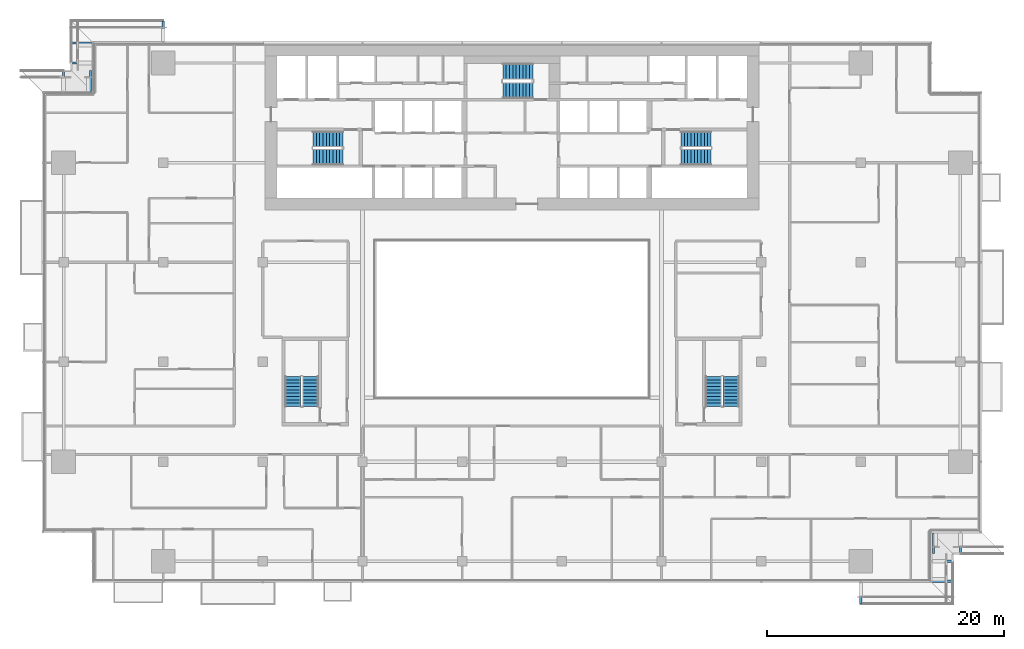
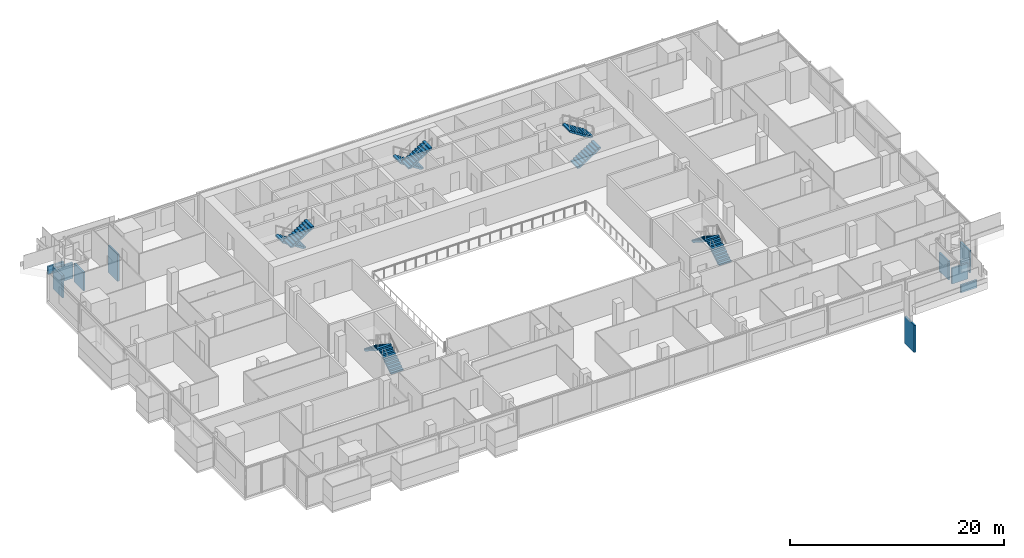
# One storey, part 24 of 29: 10 discrete accessories, 10 stair flights, 5 elements without a shape of their own.
"""IFC4 building model written with IfcOpenShell, lengths in metres."""

from ifc_helpers import new_model, si_unit, direction, frame, origin, origin_2d, place, context, subcontext, project, spatial, polyline, rectangle, outline, extrude, material, type_object, element, aggregate, save


model = new_model("IFC4")

# Units and contexts
model_context = context("Model", 3, precision=1e-05, world=origin(), true_north=direction((0.0, 1.0)))
body_context = subcontext(model_context, "Body", "Model", "MODEL_VIEW")
ifc_project = project(units=[si_unit("LENGTHUNIT", "METRE"), si_unit("AREAUNIT", "SQUARE_METRE"), si_unit("VOLUMEUNIT", "CUBIC_METRE"), si_unit("PLANEANGLEUNIT", "RADIAN"), si_unit("MASSUNIT", "GRAM", prefix="KILO")], contexts=[model_context])

# Site, building, storey
site_placement = place(None, origin())
site = spatial("IfcSite", under=ifc_project, at=site_placement, CompositionType="ELEMENT")
building_placement = place(site_placement, origin())
building = spatial("IfcBuilding", under=site, at=building_placement, Name="Saffron Gate Tower", CompositionType="ELEMENT")
storey_placement = place(building_placement, frame((0.0, 0.0, 106.050048828125)))
storey = spatial("IfcBuildingStorey", under=building, at=storey_placement, Name="L24", CompositionType="ELEMENT", Elevation=106.050048828125)

# Stair, stair flights
ifc_material = material(Name="Concrete C40", Category="concrete")
stair_type = type_object("IfcStairType", Name="ST7 Stair 1350 wide, 20 risers of 180", PredefinedType="HALF_TURN_STAIR", material=ifc_material)
stair_1_placement = place(storey_placement, origin())
stair_1 = element("IfcStair", 1, at=stair_1_placement, inside=storey, type_object=stair_type, Name="L24 Exit stair A", PredefinedType="HALF_TURN_STAIR")
stair_flight_type = type_object("IfcStairFlightType", Name="SF3 Stair flight 1350 wide, riser 180 going 280", PredefinedType="STRAIGHT", material=ifc_material)
stair_flight_1_placement = place(storey_placement, frame((73.35009765625, 67.375, 0.0), z_axis=(0.0, 0.0, 1.0), x_axis=(-1.0, 0.0, 0.0)))
stair_flight_1 = element("IfcStairFlight", 2, at=stair_flight_1_placement, type_object=stair_flight_type, Name="ST-A flight 1", NumberOfRisers=10, NumberOfTreads=9, PredefinedType="STRAIGHT", RiserHeight=0.18, TreadLength=0.28, context=body_context, shape_type="SweptSolid", body=[
    extrude(outline(polyline([(0.0, 0.0), (0.0, 0.179931640625), (0.280029296875, 0.179931640625), (0.280029296875, 0.360107421875), (0.56005859375, 0.360107421875), (0.56005859375, 0.5400390625), (0.840087890625, 0.5400390625), (0.840087890625, 0.719970703125), (1.1201171875, 0.719970703125), (1.1201171875, 0.89990234375), (1.39990234375, 0.89990234375), (1.39990234375, 1.080078125), (1.679931640625, 1.080078125), (1.679931640625, 1.260009765625), (1.9599609375, 1.260009765625), (1.9599609375, 1.43994140625), (2.239990234375, 1.43994140625), (2.239990234375, 1.6201171875), (2.52001953125, 1.6201171875), (2.52001953125, 1.800048828125), (2.52001953125, 1.44189453125), (0.277099609375, 0.0), (0.0, 0.0)])), frame((0.0, 0.675048828125, 0.0), z_axis=(0.0, -1.0, 0.0), x_axis=(1.0, 0.0, 0.0)), (0.0, 0.0, 1.0), 1.35009765625),
])
stair_flight_2_placement = place(storey_placement, frame((70.830078125, 65.875, 1.800048828125), z_axis=(0.0, 0.0, 1.0), x_axis=(1.0, 0.0, 0.0)))
stair_flight_2 = element("IfcStairFlight", 3, at=stair_flight_2_placement, type_object=stair_flight_type, Name="ST-A flight 2", NumberOfRisers=10, NumberOfTreads=9, PredefinedType="STRAIGHT", RiserHeight=0.18, TreadLength=0.28, context=body_context, shape_type="SweptSolid", body=[
    extrude(outline(polyline([(0.0, 0.0), (0.0, 0.179931640625), (0.280029296875, 0.179931640625), (0.280029296875, 0.360107421875), (0.56005859375, 0.360107421875), (0.56005859375, 0.5400390625), (0.840087890625, 0.5400390625), (0.840087890625, 0.719970703125), (1.1201171875, 0.719970703125), (1.1201171875, 0.89990234375), (1.39990234375, 0.89990234375), (1.39990234375, 1.080078125), (1.679931640625, 1.080078125), (1.679931640625, 1.260009765625), (1.9599609375, 1.260009765625), (1.9599609375, 1.43994140625), (2.239990234375, 1.43994140625), (2.239990234375, 1.6201171875), (2.52001953125, 1.6201171875), (2.52001953125, 1.800048828125), (2.52001953125, 1.44189453125), (0.277099609375, 0.0), (0.0, 0.0)])), frame((0.0, 0.675048828125, 0.0), z_axis=(0.0, -1.0, 0.0), x_axis=(1.0, 0.0, 0.0)), (0.0, 0.0, 1.0), 1.35009765625),
])
aggregate(stair_1, [stair_flight_1, stair_flight_2])

stair_2_placement = place(storey_placement, origin())
stair_2 = element("IfcStair", 4, at=stair_2_placement, inside=storey, type_object=stair_type, Name="L24 Exit stair B", PredefinedType="HALF_TURN_STAIR")
stair_flight_3_placement = place(storey_placement, frame((101.85009765625, 65.875, 0.0), z_axis=(0.0, 0.0, 1.0), x_axis=(1.0, 0.0, 0.0)))
stair_flight_3 = element("IfcStairFlight", 5, at=stair_flight_3_placement, type_object=stair_flight_type, Name="ST-B flight 1", NumberOfRisers=10, NumberOfTreads=9, PredefinedType="STRAIGHT", RiserHeight=0.18, TreadLength=0.28, context=body_context, shape_type="SweptSolid", body=[
    extrude(outline(polyline([(0.0, 0.0), (0.0, 0.179931640625), (0.280029296875, 0.179931640625), (0.280029296875, 0.360107421875), (0.56005859375, 0.360107421875), (0.56005859375, 0.5400390625), (0.840087890625, 0.5400390625), (0.840087890625, 0.719970703125), (1.1201171875, 0.719970703125), (1.1201171875, 0.89990234375), (1.39990234375, 0.89990234375), (1.39990234375, 1.080078125), (1.679931640625, 1.080078125), (1.679931640625, 1.260009765625), (1.9599609375, 1.260009765625), (1.9599609375, 1.43994140625), (2.239990234375, 1.43994140625), (2.239990234375, 1.6201171875), (2.52001953125, 1.6201171875), (2.52001953125, 1.800048828125), (2.52001953125, 1.44189453125), (0.277099609375, 0.0), (0.0, 0.0)])), frame((0.0, 0.675048828125, 0.0), z_axis=(0.0, -1.0, 0.0), x_axis=(1.0, 0.0, 0.0)), (0.0, 0.0, 1.0), 1.35009765625),
])
stair_flight_4_placement = place(storey_placement, frame((104.3701171875, 67.375, 1.800048828125), z_axis=(0.0, 0.0, 1.0), x_axis=(-1.0, 0.0, 0.0)))
stair_flight_4 = element("IfcStairFlight", 6, at=stair_flight_4_placement, type_object=stair_flight_type, Name="ST-B flight 2", NumberOfRisers=10, NumberOfTreads=9, PredefinedType="STRAIGHT", RiserHeight=0.18, TreadLength=0.28, context=body_context, shape_type="SweptSolid", body=[
    extrude(outline(polyline([(0.0, 0.0), (0.0, 0.179931640625), (0.280029296875, 0.179931640625), (0.280029296875, 0.360107421875), (0.56005859375, 0.360107421875), (0.56005859375, 0.5400390625), (0.840087890625, 0.5400390625), (0.840087890625, 0.719970703125), (1.1201171875, 0.719970703125), (1.1201171875, 0.89990234375), (1.39990234375, 0.89990234375), (1.39990234375, 1.080078125), (1.679931640625, 1.080078125), (1.679931640625, 1.260009765625), (1.9599609375, 1.260009765625), (1.9599609375, 1.43994140625), (2.239990234375, 1.43994140625), (2.239990234375, 1.6201171875), (2.52001953125, 1.6201171875), (2.52001953125, 1.800048828125), (2.52001953125, 1.44189453125), (0.277099609375, 0.0), (0.0, 0.0)])), frame((0.0, 0.675048828125, 0.0), z_axis=(0.0, -1.0, 0.0), x_axis=(1.0, 0.0, 0.0)), (0.0, 0.0, 1.0), 1.35009765625),
])
aggregate(stair_2, [stair_flight_3, stair_flight_4])

stair_3_placement = place(storey_placement, origin())
stair_3 = element("IfcStair", 7, at=stair_3_placement, inside=storey, type_object=stair_type, Name="L24 Exit stair C", PredefinedType="HALF_TURN_STAIR")
stair_flight_5_placement = place(storey_placement, frame((89.35009765625, 73.074951171875, 0.0), z_axis=(0.0, 0.0, 1.0), x_axis=(-1.0, 0.0, 0.0)))
stair_flight_5 = element("IfcStairFlight", 8, at=stair_flight_5_placement, type_object=stair_flight_type, Name="ST-C flight 1", NumberOfRisers=10, NumberOfTreads=9, PredefinedType="STRAIGHT", RiserHeight=0.18, TreadLength=0.28, context=body_context, shape_type="SweptSolid", body=[
    extrude(outline(polyline([(0.0, 0.0), (0.0, 0.179931640625), (0.280029296875, 0.179931640625), (0.280029296875, 0.360107421875), (0.56005859375, 0.360107421875), (0.56005859375, 0.5400390625), (0.840087890625, 0.5400390625), (0.840087890625, 0.719970703125), (1.1201171875, 0.719970703125), (1.1201171875, 0.89990234375), (1.39990234375, 0.89990234375), (1.39990234375, 1.080078125), (1.679931640625, 1.080078125), (1.679931640625, 1.260009765625), (1.9599609375, 1.260009765625), (1.9599609375, 1.43994140625), (2.239990234375, 1.43994140625), (2.239990234375, 1.6201171875), (2.52001953125, 1.6201171875), (2.52001953125, 1.800048828125), (2.52001953125, 1.44189453125), (0.277099609375, 0.0), (0.0, 0.0)])), frame((0.0, 0.675048828125, 0.0), z_axis=(0.0, -1.0, 0.0), x_axis=(1.0, 0.0, 0.0)), (0.0, 0.0, 1.0), 1.35009765625),
])
stair_flight_6_placement = place(storey_placement, frame((86.830078125, 71.47509765625, 1.800048828125), z_axis=(0.0, 0.0, 1.0), x_axis=(1.0, 0.0, 0.0)))
stair_flight_6 = element("IfcStairFlight", 9, at=stair_flight_6_placement, type_object=stair_flight_type, Name="ST-C flight 2", NumberOfRisers=10, NumberOfTreads=9, PredefinedType="STRAIGHT", RiserHeight=0.18, TreadLength=0.28, context=body_context, shape_type="SweptSolid", body=[
    extrude(outline(polyline([(0.0, 0.0), (0.0, 0.179931640625), (0.280029296875, 0.179931640625), (0.280029296875, 0.360107421875), (0.56005859375, 0.360107421875), (0.56005859375, 0.5400390625), (0.840087890625, 0.5400390625), (0.840087890625, 0.719970703125), (1.1201171875, 0.719970703125), (1.1201171875, 0.89990234375), (1.39990234375, 0.89990234375), (1.39990234375, 1.080078125), (1.679931640625, 1.080078125), (1.679931640625, 1.260009765625), (1.9599609375, 1.260009765625), (1.9599609375, 1.43994140625), (2.239990234375, 1.43994140625), (2.239990234375, 1.6201171875), (2.52001953125, 1.6201171875), (2.52001953125, 1.800048828125), (2.52001953125, 1.44189453125), (0.277099609375, 0.0), (0.0, 0.0)])), frame((0.0, 0.675048828125, 0.0), z_axis=(0.0, -1.0, 0.0), x_axis=(1.0, 0.0, 0.0)), (0.0, 0.0, 1.0), 1.35009765625),
])
aggregate(stair_3, [stair_flight_5, stair_flight_6])

stair_4_placement = place(storey_placement, origin())
stair_4 = element("IfcStair", 10, at=stair_4_placement, inside=storey, type_object=stair_type, Name="L24 Exit stair D", PredefinedType="HALF_TURN_STAIR")
stair_flight_7_placement = place(storey_placement, frame((70.625, 44.85009765625, 0.0), z_axis=(0.0, 0.0, 1.0), x_axis=(0.0, 1.0, 0.0)))
stair_flight_7 = element("IfcStairFlight", 11, at=stair_flight_7_placement, type_object=stair_flight_type, Name="ST-D flight 1", NumberOfRisers=10, NumberOfTreads=9, PredefinedType="STRAIGHT", RiserHeight=0.18, TreadLength=0.28, context=body_context, shape_type="SweptSolid", body=[
    extrude(outline(polyline([(0.0, 0.0), (0.0, 0.179931640625), (0.280029296875, 0.179931640625), (0.280029296875, 0.360107421875), (0.56005859375, 0.360107421875), (0.56005859375, 0.5400390625), (0.840087890625, 0.5400390625), (0.840087890625, 0.719970703125), (1.1201171875, 0.719970703125), (1.1201171875, 0.89990234375), (1.39990234375, 0.89990234375), (1.39990234375, 1.080078125), (1.679931640625, 1.080078125), (1.679931640625, 1.260009765625), (1.9599609375, 1.260009765625), (1.9599609375, 1.43994140625), (2.239990234375, 1.43994140625), (2.239990234375, 1.6201171875), (2.52001953125, 1.6201171875), (2.52001953125, 1.800048828125), (2.52001953125, 1.44189453125), (0.277099609375, 0.0), (0.0, 0.0)])), frame((0.0, 0.675048828125, 0.0), z_axis=(0.0, -1.0, 0.0), x_axis=(1.0, 0.0, 0.0)), (0.0, 0.0, 1.0), 1.35009765625),
])
stair_flight_8_placement = place(storey_placement, frame((69.125, 47.3701171875, 1.800048828125), z_axis=(0.0, 0.0, 1.0), x_axis=(0.0, -1.0, 0.0)))
stair_flight_8 = element("IfcStairFlight", 12, at=stair_flight_8_placement, type_object=stair_flight_type, Name="ST-D flight 2", NumberOfRisers=10, NumberOfTreads=9, PredefinedType="STRAIGHT", RiserHeight=0.18, TreadLength=0.28, context=body_context, shape_type="SweptSolid", body=[
    extrude(outline(polyline([(0.0, 0.0), (0.0, 0.179931640625), (0.280029296875, 0.179931640625), (0.280029296875, 0.360107421875), (0.56005859375, 0.360107421875), (0.56005859375, 0.5400390625), (0.840087890625, 0.5400390625), (0.840087890625, 0.719970703125), (1.1201171875, 0.719970703125), (1.1201171875, 0.89990234375), (1.39990234375, 0.89990234375), (1.39990234375, 1.080078125), (1.679931640625, 1.080078125), (1.679931640625, 1.260009765625), (1.9599609375, 1.260009765625), (1.9599609375, 1.43994140625), (2.239990234375, 1.43994140625), (2.239990234375, 1.6201171875), (2.52001953125, 1.6201171875), (2.52001953125, 1.800048828125), (2.52001953125, 1.44189453125), (0.277099609375, 0.0), (0.0, 0.0)])), frame((0.0, 0.675048828125, 0.0), z_axis=(0.0, -1.0, 0.0), x_axis=(1.0, 0.0, 0.0)), (0.0, 0.0, 1.0), 1.35009765625),
])
aggregate(stair_4, [stair_flight_7, stair_flight_8])

stair_5_placement = place(storey_placement, origin())
stair_5 = element("IfcStair", 13, at=stair_5_placement, inside=storey, type_object=stair_type, Name="L24 Exit stair E", PredefinedType="HALF_TURN_STAIR")
stair_flight_9_placement = place(storey_placement, frame((106.074951171875, 44.85009765625, 0.0), z_axis=(0.0, 0.0, 1.0), x_axis=(0.0, 1.0, 0.0)))
stair_flight_9 = element("IfcStairFlight", 14, at=stair_flight_9_placement, type_object=stair_flight_type, Name="ST-E flight 1", NumberOfRisers=10, NumberOfTreads=9, PredefinedType="STRAIGHT", RiserHeight=0.18, TreadLength=0.28, context=body_context, shape_type="SweptSolid", body=[
    extrude(outline(polyline([(0.0, 0.0), (0.0, 0.179931640625), (0.280029296875, 0.179931640625), (0.280029296875, 0.360107421875), (0.56005859375, 0.360107421875), (0.56005859375, 0.5400390625), (0.840087890625, 0.5400390625), (0.840087890625, 0.719970703125), (1.1201171875, 0.719970703125), (1.1201171875, 0.89990234375), (1.39990234375, 0.89990234375), (1.39990234375, 1.080078125), (1.679931640625, 1.080078125), (1.679931640625, 1.260009765625), (1.9599609375, 1.260009765625), (1.9599609375, 1.43994140625), (2.239990234375, 1.43994140625), (2.239990234375, 1.6201171875), (2.52001953125, 1.6201171875), (2.52001953125, 1.800048828125), (2.52001953125, 1.44189453125), (0.277099609375, 0.0), (0.0, 0.0)])), frame((0.0, 0.675048828125, 0.0), z_axis=(0.0, -1.0, 0.0), x_axis=(1.0, 0.0, 0.0)), (0.0, 0.0, 1.0), 1.35009765625),
])
stair_flight_10_placement = place(storey_placement, frame((104.574951171875, 47.3701171875, 1.800048828125), z_axis=(0.0, 0.0, 1.0), x_axis=(0.0, -1.0, 0.0)))
stair_flight_10 = element("IfcStairFlight", 15, at=stair_flight_10_placement, type_object=stair_flight_type, Name="ST-E flight 2", NumberOfRisers=10, NumberOfTreads=9, PredefinedType="STRAIGHT", RiserHeight=0.18, TreadLength=0.28, context=body_context, shape_type="SweptSolid", body=[
    extrude(outline(polyline([(0.0, 0.0), (0.0, 0.179931640625), (0.280029296875, 0.179931640625), (0.280029296875, 0.360107421875), (0.56005859375, 0.360107421875), (0.56005859375, 0.5400390625), (0.840087890625, 0.5400390625), (0.840087890625, 0.719970703125), (1.1201171875, 0.719970703125), (1.1201171875, 0.89990234375), (1.39990234375, 0.89990234375), (1.39990234375, 1.080078125), (1.679931640625, 1.080078125), (1.679931640625, 1.260009765625), (1.9599609375, 1.260009765625), (1.9599609375, 1.43994140625), (2.239990234375, 1.43994140625), (2.239990234375, 1.6201171875), (2.52001953125, 1.6201171875), (2.52001953125, 1.800048828125), (2.52001953125, 1.44189453125), (0.277099609375, 0.0), (0.0, 0.0)])), frame((0.0, 0.675048828125, 0.0), z_axis=(0.0, -1.0, 0.0), x_axis=(1.0, 0.0, 0.0)), (0.0, 0.0, 1.0), 1.35009765625),
])
aggregate(stair_5, [stair_flight_9, stair_flight_10])

# Discrete accessories
discrete_accessory_1_placement = place(storey_placement, frame((117.0, 29.125, -3.8798828125), z_axis=(0.0, 0.0, 1.0), x_axis=(1.0, 0.0, 0.0)))
element("IfcDiscreteAccessory", 16, at=discrete_accessory_1_placement, inside=storey, Name="LEDGE rib", PredefinedType="BRACKET", context=body_context, shape_type="SweptSolid", body=[
    extrude(rectangle(XDim=0.199951171875, YDim=1.75, at=origin_2d()), origin(), (0.0, 0.0, 1.0), 3.106201171875),
])
discrete_accessory_2_placement = place(storey_placement, frame((123.875, 30.1201171875, -0.280029296875), z_axis=(0.0, 0.0, 1.0), x_axis=(0.0, 1.0, 0.0)))
element("IfcDiscreteAccessory", 17, at=discrete_accessory_2_placement, inside=storey, Name="LEDGE rib", PredefinedType="BRACKET", context=body_context, shape_type="SweptSolid", body=[
    extrude(rectangle(XDim=0.199951171875, YDim=1.75, at=origin_2d()), origin(), (0.0, 0.0, 1.0), 0.87939453125),
])
discrete_accessory_3_placement = place(storey_placement, frame((123.875, 31.800048828125, -0.280029296875), z_axis=(0.0, 0.0, 1.0), x_axis=(0.0, 1.0, 0.0)))
element("IfcDiscreteAccessory", 18, at=discrete_accessory_3_placement, inside=storey, Name="LEDGE rib", PredefinedType="BRACKET", context=body_context, shape_type="SweptSolid", body=[
    extrude(rectangle(XDim=0.199951171875, YDim=1.75, at=origin_2d()), origin(), (0.0, 0.0, 1.0), 1.78857421875),
])
discrete_accessory_4_placement = place(storey_placement, frame((123.1201171875, 33.324951171875, -0.27978515625), z_axis=(0.0, 0.0, 1.0), x_axis=(1.0, 0.0, 0.0)))
element("IfcDiscreteAccessory", 19, at=discrete_accessory_4_placement, inside=storey, Name="LEDGE rib", PredefinedType="BRACKET", context=body_context, shape_type="SweptSolid", body=[
    extrude(rectangle(XDim=0.199951171875, YDim=1.75, at=origin_2d()), origin(), (0.0, 0.0, 1.0), 2.114990234375),
])
discrete_accessory_5_placement = place(storey_placement, frame((125.39990234375, 33.324951171875, -0.27978515625), z_axis=(0.0, 0.0, 1.0), x_axis=(1.0, 0.0, 0.0)))
element("IfcDiscreteAccessory", 20, at=discrete_accessory_5_placement, inside=storey, Name="LEDGE rib", PredefinedType="BRACKET", context=body_context, shape_type="SweptSolid", body=[
    extrude(rectangle(XDim=0.199951171875, YDim=1.75, at=origin_2d()), origin(), (0.0, 0.0, 1.0), 2.527099609375),
])
discrete_accessory_6_placement = place(storey_placement, frame((58.199951171875, 76.47509765625, -3.8798828125), z_axis=(0.0, 0.0, 1.0), x_axis=(-1.0, 0.0, 0.0)))
element("IfcDiscreteAccessory", 21, at=discrete_accessory_6_placement, inside=storey, Name="LEDGE rib", PredefinedType="BRACKET", context=body_context, shape_type="SweptSolid", body=[
    extrude(rectangle(XDim=0.199951171875, YDim=1.75, at=origin_2d()), origin(), (0.0, 0.0, 1.0), 3.106201171875),
])
discrete_accessory_7_placement = place(storey_placement, frame((51.324951171875, 75.47998046875, -0.280029296875), z_axis=(0.0, 0.0, 1.0), x_axis=(0.0, -1.0, 0.0)))
element("IfcDiscreteAccessory", 22, at=discrete_accessory_7_placement, inside=storey, Name="LEDGE rib", PredefinedType="BRACKET", context=body_context, shape_type="SweptSolid", body=[
    extrude(rectangle(XDim=0.199951171875, YDim=1.75, at=origin_2d()), origin(), (0.0, 0.0, 1.0), 0.87939453125),
])
discrete_accessory_8_placement = place(storey_placement, frame((51.324951171875, 73.800048828125, -0.280029296875), z_axis=(0.0, 0.0, 1.0), x_axis=(0.0, -1.0, 0.0)))
element("IfcDiscreteAccessory", 23, at=discrete_accessory_8_placement, inside=storey, Name="LEDGE rib", PredefinedType="BRACKET", context=body_context, shape_type="SweptSolid", body=[
    extrude(rectangle(XDim=0.199951171875, YDim=1.75, at=origin_2d()), origin(), (0.0, 0.0, 1.0), 1.78857421875),
])
discrete_accessory_9_placement = place(storey_placement, frame((52.080078125, 72.27490234375, -0.27978515625), z_axis=(0.0, 0.0, 1.0), x_axis=(-1.0, 0.0, 0.0)))
element("IfcDiscreteAccessory", 24, at=discrete_accessory_9_placement, inside=storey, Name="LEDGE rib", PredefinedType="BRACKET", context=body_context, shape_type="SweptSolid", body=[
    extrude(rectangle(XDim=0.199951171875, YDim=1.75, at=origin_2d()), origin(), (0.0, 0.0, 1.0), 2.114990234375),
])
discrete_accessory_10_placement = place(storey_placement, frame((49.800048828125, 72.27490234375, -0.27978515625), z_axis=(0.0, 0.0, 1.0), x_axis=(-1.0, 0.0, 0.0)))
element("IfcDiscreteAccessory", 25, at=discrete_accessory_10_placement, inside=storey, Name="LEDGE rib", PredefinedType="BRACKET", context=body_context, shape_type="SweptSolid", body=[
    extrude(rectangle(XDim=0.199951171875, YDim=1.75, at=origin_2d()), origin(), (0.0, 0.0, 1.0), 2.527099609375),
])

save(model, "model.ifc")
